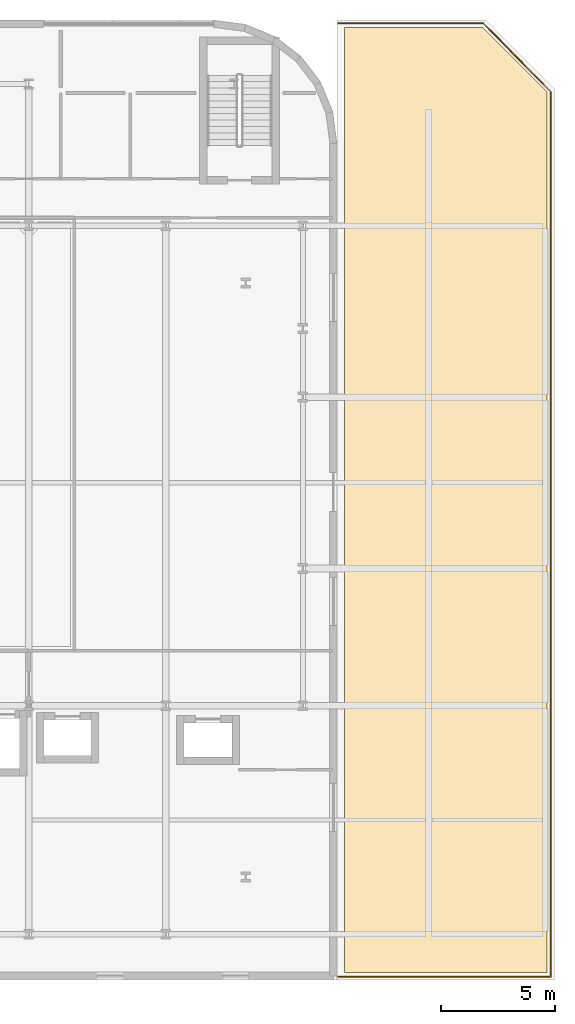
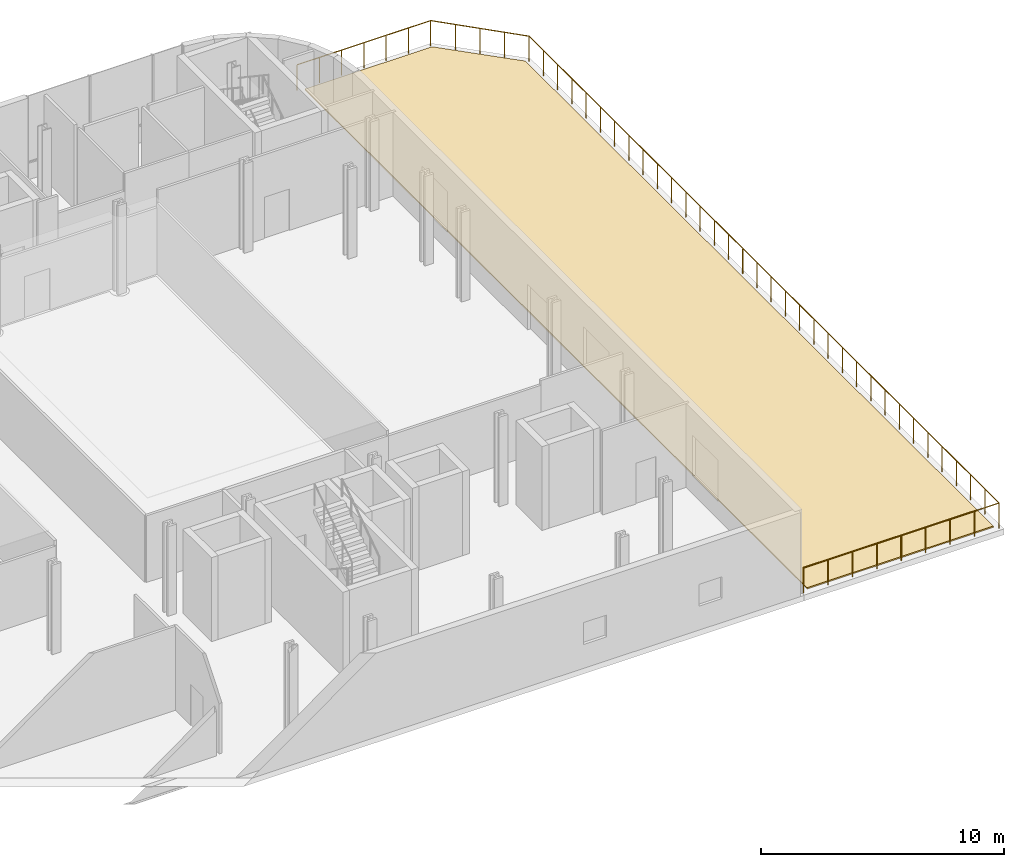
# One storey, part 25 of 26: 1 covering, 1 railing.
"""IFC4 building model written with IfcOpenShell, lengths in metres."""

from ifc_helpers import new_model, si_unit, direction, frame, origin, origin_2d, place, context, subcontext, project, spatial, polyline, circle, outline, extrude, material, layer, layer_set, type_object, element, save


model = new_model("IFC4")

# Units and contexts
model_context = context("Model", 3, precision=1e-05, world=origin(), true_north=direction((0.0, 1.0)))
body_context = subcontext(model_context, "Body", "Model", "MODEL_VIEW")
ifc_project = project(units=[si_unit("LENGTHUNIT", "METRE"), si_unit("AREAUNIT", "SQUARE_METRE"), si_unit("VOLUMEUNIT", "CUBIC_METRE"), si_unit("PLANEANGLEUNIT", "RADIAN"), si_unit("MASSUNIT", "GRAM", prefix="KILO")], contexts=[model_context])

# Site, building, storey
site_placement = place(None, origin())
site = spatial("IfcSite", under=ifc_project, at=site_placement, CompositionType="ELEMENT")
building_placement = place(site_placement, origin())
building = spatial("IfcBuilding", under=site, at=building_placement, Name="Brevholm Reach", CompositionType="ELEMENT")
storey_placement = place(building_placement, frame((0.0, 0.0, 18.0)))
storey = spatial("IfcBuildingStorey", under=building, at=storey_placement, Name="L04", CompositionType="ELEMENT", Elevation=18.0)

# Covering
ifc_material_1 = material(Name="SBS Polymer-Modified Bitumen Waterproofing and Paver Membrane", Category="membrane")
ifc_layer = layer(ifc_material_1, 0.06494140625)
ifc_layer_set = layer_set([ifc_layer], Name="SBS Polymer-Modified Bitumen Waterproofing and Paver Membrane")
covering_type = type_object("IfcCoveringType", Name="COV-ROF-65", PredefinedType="ROOFING", material=ifc_layer_set)
covering_placement = place(storey_placement, frame((0.0, 0.0, 0.010009765625)))
element("IfcCovering", 1, at=covering_placement, inside=storey, type_object=covering_type, Name="L04 Waterproof Terrace Roofing Membrane 2", PredefinedType="ROOFING", context=body_context, shape_type="SweptSolid", body=[
    extrude(outline(polyline([(61.820068359375, -1.679931640625), (61.820068359375, 39.679931640625), (67.867431640625, 39.679931640625), (70.679931640625, 36.867431640625), (70.679931640625, -1.679931640625), (61.820068359375, -1.679931640625)])), origin(), (0.0, 0.0, 1.0), 0.06494140625),
])

# Railing
ifc_material_2 = material(Name="Galvanised Powder-Coated Steel S275JR Anti-Climb Guard", Category="steel")
railing_type = type_object("IfcRailingType", Name="RAL-PLAY-1300", PredefinedType="BALUSTRADE", material=ifc_material_2)
railing_placement = place(storey_placement, frame((61.550048828125, 39.85009765625, 0.0)))
element("IfcRailing", 2, at=railing_placement, inside=storey, type_object=railing_type, Name="L04 Guard Balustrade RAL-L04-PLAY-E", PredefinedType="BALUSTRADE", context=body_context, shape_type="SweptSolid", body=[
    extrude(circle(Radius=0.02392578125, at=origin_2d()), frame((0.0, 0.0, 1.27587890625), z_axis=(1.0, 0.0, 0.0), x_axis=(0.0, 1.0, 0.0)), (0.0, 0.0, 1.0), 6.349853515625),
    extrude(circle(Radius=0.02392578125, at=origin_2d()), frame((6.349853515625, 0.0, 1.27587890625), z_axis=(0.701163551131, -0.713000473047, 0.0), x_axis=(0.713000473047, 0.701163551131, 0.0)), (0.0, 0.0, 1.0), 4.20751953125),
    extrude(circle(Radius=0.02392578125, at=origin_2d()), frame((9.300048828125, -3.0, 1.27587890625), z_axis=(0.0, -1.0, 0.0), x_axis=(1.0, 0.0, 0.0)), (0.0, 0.0, 1.0), 38.7001953125),
    extrude(circle(Radius=0.02392578125, at=origin_2d()), frame((9.300048828125, -41.7001953125, 1.27587890625), z_axis=(-1.0, 0.0, 0.0), x_axis=(0.0, -1.0, 0.0)), (0.0, 0.0, 1.0), 9.300048828125),
    extrude(circle(Radius=0.02099609375, at=origin_2d()), origin(), (0.0, 0.0, 1.0), 1.251953125),
    extrude(circle(Radius=0.02099609375, at=origin_2d()), frame((1.058349609375, 0.0, 0.0)), (0.0, 0.0, 1.0), 1.251953125),
    extrude(circle(Radius=0.02099609375, at=origin_2d()), frame((2.11669921875, 0.0, 0.0)), (0.0, 0.0, 1.0), 1.251953125),
    extrude(circle(Radius=0.02099609375, at=origin_2d()), frame((3.1748046875, 0.0, 0.0)), (0.0, 0.0, 1.0), 1.251953125),
    extrude(circle(Radius=0.02099609375, at=origin_2d()), frame((4.233154296875, 0.0, 0.0)), (0.0, 0.0, 1.0), 1.251953125),
    extrude(circle(Radius=0.02099609375, at=origin_2d()), frame((5.29150390625, 0.0, 0.0)), (0.0, 0.0, 1.0), 1.251953125),
    extrude(circle(Radius=0.02099609375, at=origin_2d()), frame((6.349853515625, 0.0, 0.0)), (0.0, 0.0, 1.0), 1.251953125),
    extrude(circle(Radius=0.02099609375, at=origin_2d()), frame((7.08740234375, -0.75, 0.0)), (0.0, 0.0, 1.0), 1.251953125),
    extrude(circle(Radius=0.02099609375, at=origin_2d()), frame((7.824951171875, -1.5, 0.0)), (0.0, 0.0, 1.0), 1.251953125),
    extrude(circle(Radius=0.02099609375, at=origin_2d()), frame((8.5625, -2.25, 0.0)), (0.0, 0.0, 1.0), 1.251953125),
    extrude(circle(Radius=0.02099609375, at=origin_2d()), frame((9.300048828125, -3.0, 0.0)), (0.0, 0.0, 1.0), 1.251953125),
    extrude(circle(Radius=0.02099609375, at=origin_2d()), frame((9.300048828125, -4.1728515625, 0.0)), (0.0, 0.0, 1.0), 1.251953125),
    extrude(circle(Radius=0.02099609375, at=origin_2d()), frame((9.300048828125, -5.345458984375, 0.0)), (0.0, 0.0, 1.0), 1.251953125),
    extrude(circle(Radius=0.02099609375, at=origin_2d()), frame((9.300048828125, -6.518310546875, 0.0)), (0.0, 0.0, 1.0), 1.251953125),
    extrude(circle(Radius=0.02099609375, at=origin_2d()), frame((9.300048828125, -7.69091796875, 0.0)), (0.0, 0.0, 1.0), 1.251953125),
    extrude(circle(Radius=0.02099609375, at=origin_2d()), frame((9.300048828125, -8.86376953125, 0.0)), (0.0, 0.0, 1.0), 1.251953125),
    extrude(circle(Radius=0.02099609375, at=origin_2d()), frame((9.300048828125, -10.036376953125, 0.0)), (0.0, 0.0, 1.0), 1.251953125),
    extrude(circle(Radius=0.02099609375, at=origin_2d()), frame((9.300048828125, -11.209228515625, 0.0)), (0.0, 0.0, 1.0), 1.251953125),
    extrude(circle(Radius=0.02099609375, at=origin_2d()), frame((9.300048828125, -12.3818359375, 0.0)), (0.0, 0.0, 1.0), 1.251953125),
    extrude(circle(Radius=0.02099609375, at=origin_2d()), frame((9.300048828125, -13.5546875, 0.0)), (0.0, 0.0, 1.0), 1.251953125),
    extrude(circle(Radius=0.02099609375, at=origin_2d()), frame((9.300048828125, -14.727294921875, 0.0)), (0.0, 0.0, 1.0), 1.251953125),
    extrude(circle(Radius=0.02099609375, at=origin_2d()), frame((9.300048828125, -15.900146484375, 0.0)), (0.0, 0.0, 1.0), 1.251953125),
    extrude(circle(Radius=0.02099609375, at=origin_2d()), frame((9.300048828125, -17.07275390625, 0.0)), (0.0, 0.0, 1.0), 1.251953125),
    extrude(circle(Radius=0.02099609375, at=origin_2d()), frame((9.300048828125, -18.24560546875, 0.0)), (0.0, 0.0, 1.0), 1.251953125),
    extrude(circle(Radius=0.02099609375, at=origin_2d()), frame((9.300048828125, -19.418212890625, 0.0)), (0.0, 0.0, 1.0), 1.251953125),
    extrude(circle(Radius=0.02099609375, at=origin_2d()), frame((9.300048828125, -20.591064453125, 0.0)), (0.0, 0.0, 1.0), 1.251953125),
    extrude(circle(Radius=0.02099609375, at=origin_2d()), frame((9.300048828125, -21.763671875, 0.0)), (0.0, 0.0, 1.0), 1.251953125),
    extrude(circle(Radius=0.02099609375, at=origin_2d()), frame((9.300048828125, -22.9365234375, 0.0)), (0.0, 0.0, 1.0), 1.251953125),
    extrude(circle(Radius=0.02099609375, at=origin_2d()), frame((9.300048828125, -24.109130859375, 0.0)), (0.0, 0.0, 1.0), 1.251953125),
    extrude(circle(Radius=0.02099609375, at=origin_2d()), frame((9.300048828125, -25.281982421875, 0.0)), (0.0, 0.0, 1.0), 1.251953125),
    extrude(circle(Radius=0.02099609375, at=origin_2d()), frame((9.300048828125, -26.45458984375, 0.0)), (0.0, 0.0, 1.0), 1.251953125),
    extrude(circle(Radius=0.02099609375, at=origin_2d()), frame((9.300048828125, -27.62744140625, 0.0)), (0.0, 0.0, 1.0), 1.251953125),
    extrude(circle(Radius=0.02099609375, at=origin_2d()), frame((9.300048828125, -28.800048828125, 0.0)), (0.0, 0.0, 1.0), 1.251953125),
    extrude(circle(Radius=0.02099609375, at=origin_2d()), frame((9.300048828125, -29.972900390625, 0.0)), (0.0, 0.0, 1.0), 1.251953125),
    extrude(circle(Radius=0.02099609375, at=origin_2d()), frame((9.300048828125, -31.1455078125, 0.0)), (0.0, 0.0, 1.0), 1.251953125),
    extrude(circle(Radius=0.02099609375, at=origin_2d()), frame((9.300048828125, -32.318359375, 0.0)), (0.0, 0.0, 1.0), 1.251953125),
    extrude(circle(Radius=0.02099609375, at=origin_2d()), frame((9.300048828125, -33.490966796875, 0.0)), (0.0, 0.0, 1.0), 1.251953125),
    extrude(circle(Radius=0.02099609375, at=origin_2d()), frame((9.300048828125, -34.663818359375, 0.0)), (0.0, 0.0, 1.0), 1.251953125),
    extrude(circle(Radius=0.02099609375, at=origin_2d()), frame((9.300048828125, -35.83642578125, 0.0)), (0.0, 0.0, 1.0), 1.251953125),
    extrude(circle(Radius=0.02099609375, at=origin_2d()), frame((9.300048828125, -37.00927734375, 0.0)), (0.0, 0.0, 1.0), 1.251953125),
    extrude(circle(Radius=0.02099609375, at=origin_2d()), frame((9.300048828125, -38.181884765625, 0.0)), (0.0, 0.0, 1.0), 1.251953125),
    extrude(circle(Radius=0.02099609375, at=origin_2d()), frame((9.300048828125, -39.354736328125, 0.0)), (0.0, 0.0, 1.0), 1.251953125),
    extrude(circle(Radius=0.02099609375, at=origin_2d()), frame((9.300048828125, -40.52734375, 0.0)), (0.0, 0.0, 1.0), 1.251953125),
    extrude(circle(Radius=0.02099609375, at=origin_2d()), frame((9.300048828125, -41.7001953125, 0.0)), (0.0, 0.0, 1.0), 1.251953125),
    extrude(circle(Radius=0.02099609375, at=origin_2d()), frame((8.137451171875, -41.7001953125, 0.0)), (0.0, 0.0, 1.0), 1.251953125),
    extrude(circle(Radius=0.02099609375, at=origin_2d()), frame((6.97509765625, -41.7001953125, 0.0)), (0.0, 0.0, 1.0), 1.251953125),
    extrude(circle(Radius=0.02099609375, at=origin_2d()), frame((5.8125, -41.7001953125, 0.0)), (0.0, 0.0, 1.0), 1.251953125),
    extrude(circle(Radius=0.02099609375, at=origin_2d()), frame((4.64990234375, -41.7001953125, 0.0)), (0.0, 0.0, 1.0), 1.251953125),
    extrude(circle(Radius=0.02099609375, at=origin_2d()), frame((3.487548828125, -41.7001953125, 0.0)), (0.0, 0.0, 1.0), 1.251953125),
    extrude(circle(Radius=0.02099609375, at=origin_2d()), frame((2.324951171875, -41.7001953125, 0.0)), (0.0, 0.0, 1.0), 1.251953125),
    extrude(circle(Radius=0.02099609375, at=origin_2d()), frame((1.16259765625, -41.7001953125, 0.0)), (0.0, 0.0, 1.0), 1.251953125),
    extrude(circle(Radius=0.02099609375, at=origin_2d()), frame((0.0, -41.7001953125, 0.0)), (0.0, 0.0, 1.0), 1.251953125),
])

save(model, "model.ifc")
